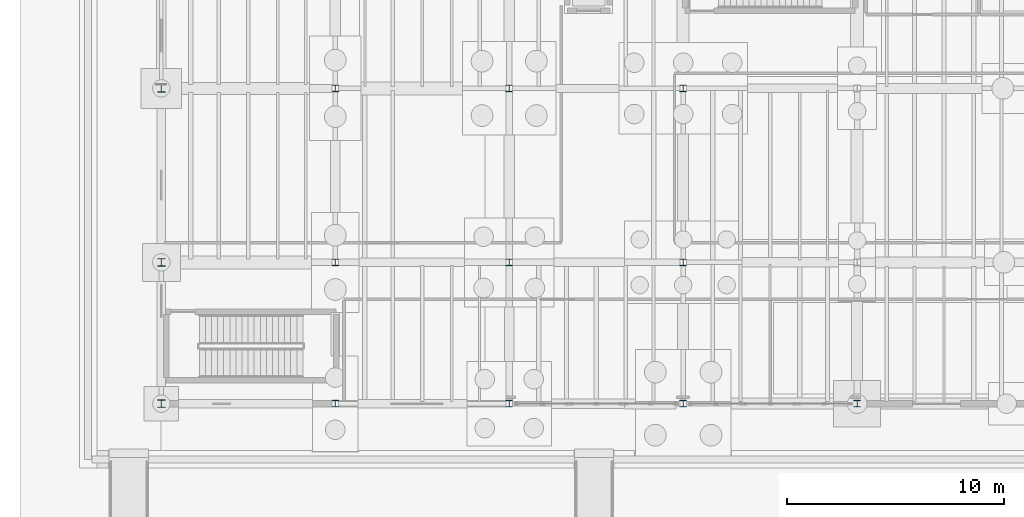
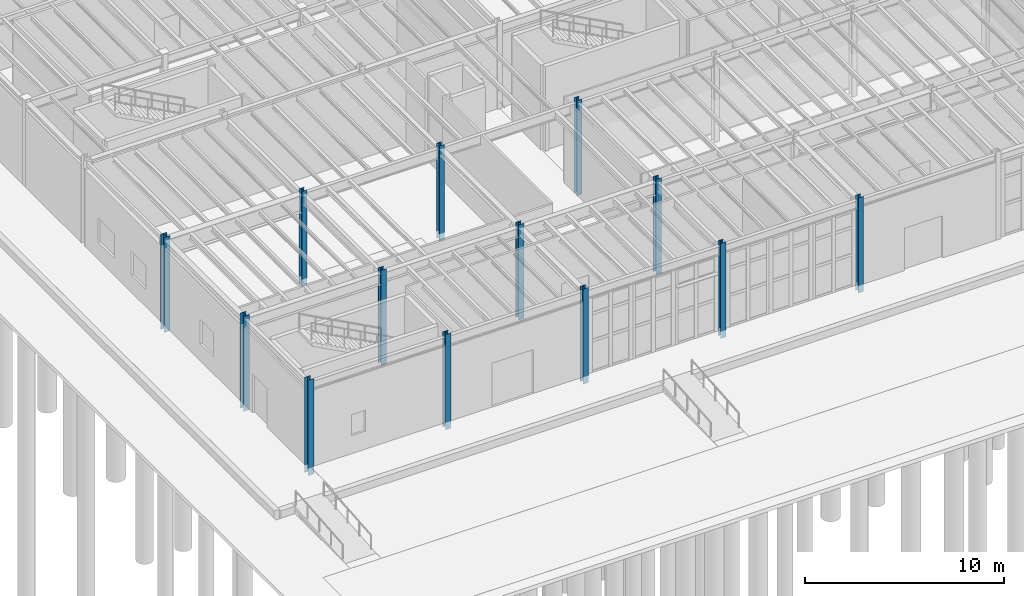
# One storey, part 11 of 86: 13 columns.
"""IFC4 building model written with IfcOpenShell, lengths in metres."""

from ifc_helpers import new_model, si_unit, direction, frame, origin, origin_2d, place, context, subcontext, project, spatial, i_section, extrude, material, material_profile, profile_set, type_object, element, save


model = new_model("IFC4")

# Units and contexts
model_context = context("Model", 3, precision=1e-05, world=origin(), true_north=direction((0.0, 1.0)))
body_context = subcontext(model_context, "Body", "Model", "MODEL_VIEW")
ifc_project = project(units=[si_unit("LENGTHUNIT", "METRE"), si_unit("AREAUNIT", "SQUARE_METRE"), si_unit("VOLUMEUNIT", "CUBIC_METRE"), si_unit("PLANEANGLEUNIT", "RADIAN"), si_unit("MASSUNIT", "GRAM", prefix="KILO"), si_unit("THERMODYNAMICTEMPERATUREUNIT", "KELVIN"), si_unit("POWERUNIT", "WATT")], contexts=[model_context])

# Site, building, storey
site_placement = place(None, origin())
site = spatial("IfcSite", under=ifc_project, at=site_placement, CompositionType="ELEMENT")
building_placement = place(site_placement, origin())
building = spatial("IfcBuilding", under=site, at=building_placement, Name="Zhenchuan Central Fire Station", CompositionType="ELEMENT")
storey_placement = place(building_placement, frame((0.0, 0.0, 0.449951171875)))
storey = spatial("IfcBuildingStorey", under=building, at=storey_placement, Name="L01", CompositionType="ELEMENT", Elevation=0.449951171875)

# Columns
ifc_material = material(Name="Steel Q355B", Category="steel")
ifc_material_profile_1 = material_profile(ifc_material, i_section(OverallWidth=0.300048828125, OverallDepth=0.300048828125, WebThickness=0.010009765625, FlangeThickness=0.014892578125, FilletRadius=0.01806640625, at=origin_2d()), Name="HW 300x300")
ifc_profile_set_1 = profile_set([ifc_material_profile_1], Name="Steel Q355B")
column_type_1 = type_object("IfcColumnType", Name="COL-HW300", PredefinedType="COLUMN", material=ifc_profile_set_1)
for number, where, z_axis, x_axis, name in (
    (1, (8.0, 0.0, -0.449951171875), (0.0, 0.0, 1.0), (1.0, 0.0, 0.0), "L01 Column 010"),
    (2, (16.0, 0.0, -0.449951171875), (0.0, 0.0, 1.0), (1.0, 0.0, 0.0), "L01 Column 019"),
    (3, (24.0, 0.0, -0.449951171875), (0.0, 0.0, 1.0), (1.0, 0.0, 0.0), "L01 Column 028"),
    (4, (32.0, 0.0, -0.449951171875), (0.0, 0.0, 1.0), (1.0, 0.0, 0.0), "L01 Column 037"),
):
    element("IfcColumn", number, at=place(storey_placement, frame(where, z_axis=z_axis, x_axis=x_axis)), inside=storey, type_object=column_type_1, Name=name, PredefinedType="COLUMN", context=body_context, shape_type="SweptSolid", body=[
        extrude(i_section(OverallWidth=0.300048828125, OverallDepth=0.300048828125, WebThickness=0.010009765625, FlangeThickness=0.014892578125, FilletRadius=0.01806640625, at=origin_2d()), origin(), (0.0, 0.0, 1.0), 5.85009765625),
    ])
ifc_material_profile_2 = material_profile(ifc_material, i_section(OverallWidth=0.300048828125, OverallDepth=0.300048828125, WebThickness=0.010009765625, FlangeThickness=0.014892578125, FilletRadius=0.01806640625, at=origin_2d()), Name="HW 300x300")
ifc_profile_set_2 = profile_set([ifc_material_profile_2], Name="Steel Q355B")
column_type_2 = type_object("IfcColumnType", Name="COL-HW300-INT", PredefinedType="COLUMN", material=ifc_profile_set_2)
for number, where, z_axis, x_axis, name in (
    (5, (8.0, 6.5, -0.449951171875), (0.0, 0.0, 1.0), (1.0, 0.0, 0.0), "L01 Column 011"),
    (6, (8.0, 14.5, -0.449951171875), (0.0, 0.0, 1.0), (1.0, 0.0, 0.0), "L01 Column 012"),
    (7, (16.0, 6.5, -0.449951171875), (0.0, 0.0, 1.0), (1.0, 0.0, 0.0), "L01 Column 020"),
    (8, (16.0, 14.5, -0.449951171875), (0.0, 0.0, 1.0), (1.0, 0.0, 0.0), "L01 Column 021"),
    (9, (24.0, 6.5, -0.449951171875), (0.0, 0.0, 1.0), (1.0, 0.0, 0.0), "L01 Column 029"),
    (10, (24.0, 14.5, -0.449951171875), (0.0, 0.0, 1.0), (1.0, 0.0, 0.0), "L01 Column 030"),
):
    element("IfcColumn", number, at=place(storey_placement, frame(where, z_axis=z_axis, x_axis=x_axis)), inside=storey, type_object=column_type_2, Name=name, PredefinedType="COLUMN", context=body_context, shape_type="SweptSolid", body=[
        extrude(i_section(OverallWidth=0.300048828125, OverallDepth=0.300048828125, WebThickness=0.010009765625, FlangeThickness=0.014892578125, FilletRadius=0.01806640625, at=origin_2d()), origin(), (0.0, 0.0, 1.0), 5.85009765625),
    ])
ifc_material_profile_3 = material_profile(ifc_material, i_section(OverallWidth=0.35009765625, OverallDepth=0.35009765625, WebThickness=0.011962890625, FlangeThickness=0.01904296875, FilletRadius=0.02001953125, at=origin_2d()), Name="HW 350x350")
ifc_profile_set_3 = profile_set([ifc_material_profile_3], Name="Steel Q355B")
column_type_3 = type_object("IfcColumnType", Name="COL-HW350", PredefinedType="COLUMN", material=ifc_profile_set_3)
for number, where, z_axis, x_axis, name in (
    (11, (0.0, 0.0, -0.449951171875), (0.0, 0.0, 1.0), (1.0, 0.0, 0.0), "L01 Column 001"),
    (12, (0.0, 6.5, -0.449951171875), (0.0, 0.0, 1.0), (1.0, 0.0, 0.0), "L01 Column 002"),
    (13, (0.0, 14.5, -0.449951171875), (0.0, 0.0, 1.0), (1.0, 0.0, 0.0), "L01 Column 003"),
):
    element("IfcColumn", number, at=place(storey_placement, frame(where, z_axis=z_axis, x_axis=x_axis)), inside=storey, type_object=column_type_3, Name=name, PredefinedType="COLUMN", context=body_context, shape_type="SweptSolid", body=[
        extrude(i_section(OverallWidth=0.35009765625, OverallDepth=0.35009765625, WebThickness=0.011962890625, FlangeThickness=0.01904296875, FilletRadius=0.02001953125, at=origin_2d()), origin(), (0.0, 0.0, 1.0), 5.85009765625),
    ])

save(model, "model.ifc")
